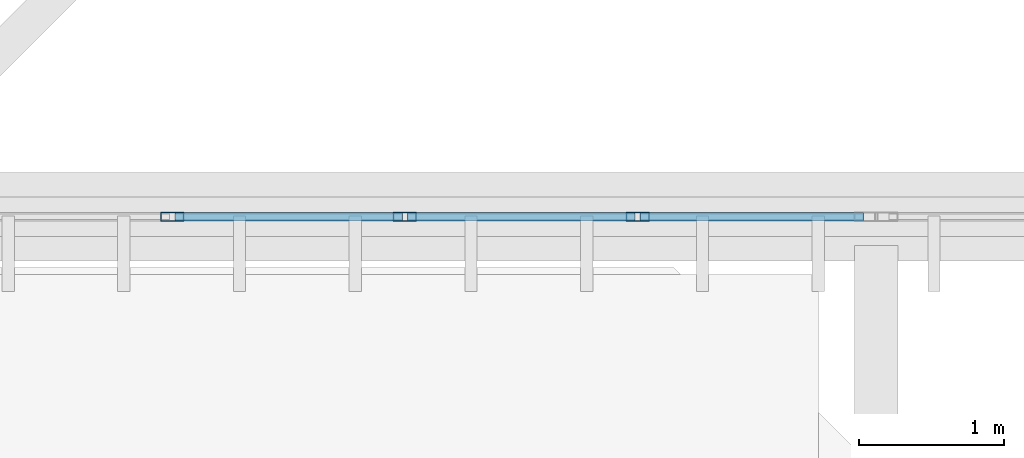
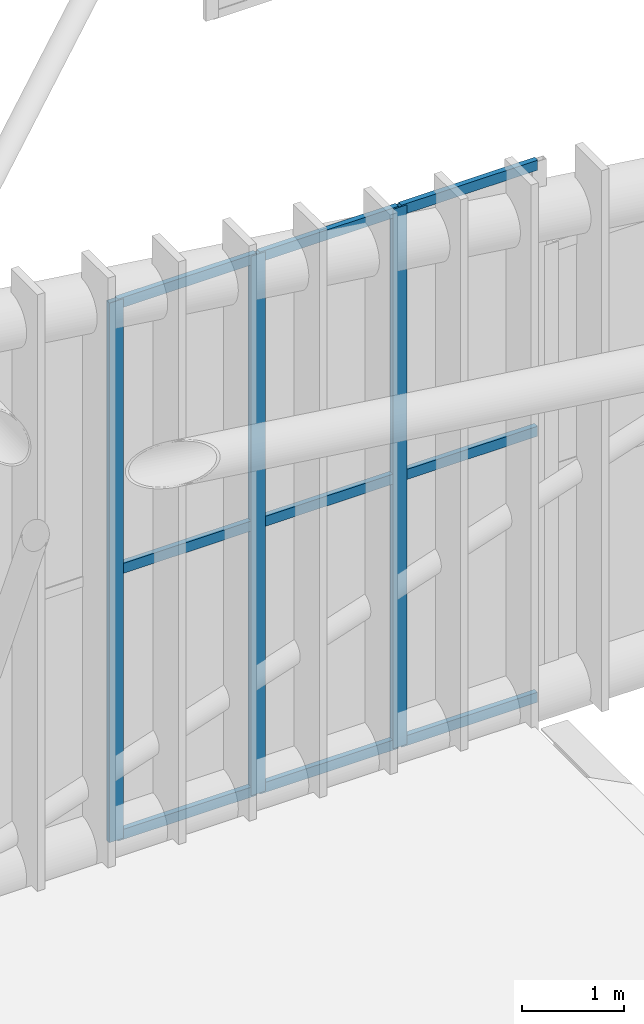
# One storey, part 85 of 397: 12 members, 1 element without a shape of its own.
"""IFC4 building model written with IfcOpenShell, lengths in metres."""

from ifc_helpers import new_model, si_unit, direction, frame, origin, origin_2d, place, context, subcontext, project, spatial, hollow_rectangle, extrude, material, material_profile, profile_set, type_object, element, aggregate, save


model = new_model("IFC4")

# Units and contexts
model_context = context("Model", 3, precision=1e-05, world=origin(), true_north=direction((0.0, 1.0)))
body_context = subcontext(model_context, "Body", "Model", "MODEL_VIEW")
ifc_project = project(units=[si_unit("LENGTHUNIT", "METRE"), si_unit("AREAUNIT", "SQUARE_METRE"), si_unit("VOLUMEUNIT", "CUBIC_METRE"), si_unit("PLANEANGLEUNIT", "RADIAN"), si_unit("MASSUNIT", "GRAM", prefix="KILO")], contexts=[model_context])

# Site, building, storey
site_placement = place(None, origin())
site = spatial("IfcSite", under=ifc_project, at=site_placement, CompositionType="ELEMENT")
building_placement = place(site_placement, origin())
building = spatial("IfcBuilding", under=site, at=building_placement, Name="Qandorah Velis Arena", CompositionType="ELEMENT")
storey_placement = place(building_placement, frame((0.0, 0.0, 27.5)))
storey = spatial("IfcBuildingStorey", under=building, at=storey_placement, Name="RF", CompositionType="ELEMENT", Elevation=27.5)

# Curtain wall, members
ifc_material_1 = material(Name="Solar-control low-E double glazing", Category="glass")
curtain_wall_type = type_object("IfcCurtainWallType", Name="ARC-CW-SYS22", PredefinedType="USERDEFINED", material=ifc_material_1)
curtain_wall_placement = place(storey_placement, origin())
curtain_wall = element("IfcCurtainWall", 1, at=curtain_wall_placement, inside=storey, type_object=curtain_wall_type, Name="Unitised curtain wall CROWN-3-06S1", ObjectType="UNITISED CURTAIN WALL", PredefinedType="USERDEFINED")
ifc_material_2 = material(Name="Champagne-bronze anodized aluminium 6063-T6", Category="aluminium")
ifc_material_profile_1 = material_profile(ifc_material_2, hollow_rectangle(XDim=0.06005859375, YDim=0.159912109375, WallThickness=0.00341796875, at=origin_2d()), Name="ALU MULLION 60x160")
ifc_profile_set_1 = profile_set([ifc_material_profile_1], Name="Champagne-bronze anodized aluminium 6063-T6")
member_type_1 = type_object("IfcMemberType", Name="ARC-CWM-160", PredefinedType="MULLION", material=ifc_profile_set_1)
member_1_placement = place(storey_placement, frame((88.733642578125, 14.39990234375, -0.014892578125), z_axis=(0.0, 0.0, 1.0), x_axis=(0.0, 1.0, 0.0)))
member_1 = element("IfcMember", 2, at=member_1_placement, type_object=member_type_1, Name="CW22 mullion 2", PredefinedType="MULLION", context=body_context, shape_type="SweptSolid", body=[
    extrude(hollow_rectangle(XDim=0.06005859375, YDim=0.159912109375, WallThickness=0.00341796875, at=origin_2d()), origin(), (0.0, 0.0, 1.0), 6.469482421875),
])
member_2_placement = place(storey_placement, frame((90.342529296875, 14.39990234375, -0.014892578125), z_axis=(0.0, 0.0, 1.0), x_axis=(0.0, 1.0, 0.0)))
member_2 = element("IfcMember", 3, at=member_2_placement, type_object=member_type_1, Name="CW22 mullion 3", PredefinedType="MULLION", context=body_context, shape_type="SweptSolid", body=[
    extrude(hollow_rectangle(XDim=0.06005859375, YDim=0.159912109375, WallThickness=0.00341796875, at=origin_2d()), origin(), (0.0, 0.0, 1.0), 6.469482421875),
])
member_3_placement = place(storey_placement, frame((91.951171875, 14.39990234375, -0.014892578125), z_axis=(0.0, 0.0, 1.0), x_axis=(0.0, 1.0, 0.0)))
member_3 = element("IfcMember", 4, at=member_3_placement, type_object=member_type_1, Name="CW22 mullion 4", PredefinedType="MULLION", context=body_context, shape_type="SweptSolid", body=[
    extrude(hollow_rectangle(XDim=0.06005859375, YDim=0.159912109375, WallThickness=0.00341796875, at=origin_2d()), origin(), (0.0, 0.0, 1.0), 6.469482421875),
])
ifc_material_profile_2 = material_profile(ifc_material_2, hollow_rectangle(XDim=0.06005859375, YDim=0.1201171875, WallThickness=0.0029296875, at=origin_2d()), Name="ALU TRANSOM 60x120")
ifc_profile_set_2 = profile_set([ifc_material_profile_2], Name="Champagne-bronze anodized aluminium 6063-T6")
member_type_2 = type_object("IfcMemberType", Name="ARC-CWT-120", PredefinedType="USERDEFINED", material=ifc_profile_set_2)
member_4_placement = place(storey_placement, frame((88.751708984375, 14.39990234375, 0.030029296875), z_axis=(1.0, 0.0, 0.0), x_axis=(0.0, 1.0, 0.0)))
member_4 = element("IfcMember", 5, at=member_4_placement, type_object=member_type_2, Name="CW22 transom 2.1", ObjectType="TRANSOM", PredefinedType="USERDEFINED", context=body_context, shape_type="SweptSolid", body=[
    extrude(hollow_rectangle(XDim=0.06005859375, YDim=0.1201171875, WallThickness=0.0029296875, at=origin_2d()), origin(), (0.0, 0.0, 1.0), 1.57275390625),
])
member_5_placement = place(storey_placement, frame((88.751708984375, 14.39990234375, 3.219970703125), z_axis=(1.0, 0.0, 0.0), x_axis=(0.0, 1.0, 0.0)))
member_5 = element("IfcMember", 6, at=member_5_placement, type_object=member_type_2, Name="CW22 transom 2.2", ObjectType="TRANSOM", PredefinedType="USERDEFINED", context=body_context, shape_type="SweptSolid", body=[
    extrude(hollow_rectangle(XDim=0.06005859375, YDim=0.1201171875, WallThickness=0.0029296875, at=origin_2d()), origin(), (0.0, 0.0, 1.0), 1.57275390625),
])
member_6_placement = place(storey_placement, frame((88.751708984375, 14.39990234375, 6.40966796875), z_axis=(1.0, 0.0, 0.0), x_axis=(0.0, 1.0, 0.0)))
member_6 = element("IfcMember", 7, at=member_6_placement, type_object=member_type_2, Name="CW22 transom 2.3", ObjectType="TRANSOM", PredefinedType="USERDEFINED", context=body_context, shape_type="SweptSolid", body=[
    extrude(hollow_rectangle(XDim=0.06005859375, YDim=0.1201171875, WallThickness=0.0029296875, at=origin_2d()), origin(), (0.0, 0.0, 1.0), 1.57275390625),
])
member_7_placement = place(storey_placement, frame((90.360595703125, 14.39990234375, 0.030029296875), z_axis=(1.0, 0.0, 0.0), x_axis=(0.0, 1.0, 0.0)))
member_7 = element("IfcMember", 8, at=member_7_placement, type_object=member_type_2, Name="CW22 transom 3.1", ObjectType="TRANSOM", PredefinedType="USERDEFINED", context=body_context, shape_type="SweptSolid", body=[
    extrude(hollow_rectangle(XDim=0.06005859375, YDim=0.1201171875, WallThickness=0.0029296875, at=origin_2d()), origin(), (0.0, 0.0, 1.0), 1.57275390625),
])
member_8_placement = place(storey_placement, frame((90.360595703125, 14.39990234375, 3.219970703125), z_axis=(1.0, 0.0, 0.0), x_axis=(0.0, 1.0, 0.0)))
member_8 = element("IfcMember", 9, at=member_8_placement, type_object=member_type_2, Name="CW22 transom 3.2", ObjectType="TRANSOM", PredefinedType="USERDEFINED", context=body_context, shape_type="SweptSolid", body=[
    extrude(hollow_rectangle(XDim=0.06005859375, YDim=0.1201171875, WallThickness=0.0029296875, at=origin_2d()), origin(), (0.0, 0.0, 1.0), 1.57275390625),
])
member_9_placement = place(storey_placement, frame((90.360595703125, 14.39990234375, 6.40966796875), z_axis=(1.0, 0.0, 0.0), x_axis=(0.0, 1.0, 0.0)))
member_9 = element("IfcMember", 10, at=member_9_placement, type_object=member_type_2, Name="CW22 transom 3.3", ObjectType="TRANSOM", PredefinedType="USERDEFINED", context=body_context, shape_type="SweptSolid", body=[
    extrude(hollow_rectangle(XDim=0.06005859375, YDim=0.1201171875, WallThickness=0.0029296875, at=origin_2d()), origin(), (0.0, 0.0, 1.0), 1.57275390625),
])
member_10_placement = place(storey_placement, frame((91.96923828125, 14.39990234375, 0.030029296875), z_axis=(1.0, 0.0, 0.0), x_axis=(0.0, 1.0, 0.0)))
member_10 = element("IfcMember", 11, at=member_10_placement, type_object=member_type_2, Name="CW22 transom 4.1", ObjectType="TRANSOM", PredefinedType="USERDEFINED", context=body_context, shape_type="SweptSolid", body=[
    extrude(hollow_rectangle(XDim=0.06005859375, YDim=0.1201171875, WallThickness=0.0029296875, at=origin_2d()), origin(), (0.0, 0.0, 1.0), 1.542724609375),
])
member_11_placement = place(storey_placement, frame((91.96923828125, 14.39990234375, 3.219970703125), z_axis=(1.0, 0.0, 0.0), x_axis=(0.0, 1.0, 0.0)))
member_11 = element("IfcMember", 12, at=member_11_placement, type_object=member_type_2, Name="CW22 transom 4.2", ObjectType="TRANSOM", PredefinedType="USERDEFINED", context=body_context, shape_type="SweptSolid", body=[
    extrude(hollow_rectangle(XDim=0.06005859375, YDim=0.1201171875, WallThickness=0.0029296875, at=origin_2d()), origin(), (0.0, 0.0, 1.0), 1.542724609375),
])
member_12_placement = place(storey_placement, frame((91.96923828125, 14.39990234375, 6.40966796875), z_axis=(1.0, 0.0, 0.0), x_axis=(0.0, 1.0, 0.0)))
member_12 = element("IfcMember", 13, at=member_12_placement, type_object=member_type_2, Name="CW22 transom 4.3", ObjectType="TRANSOM", PredefinedType="USERDEFINED", context=body_context, shape_type="SweptSolid", body=[
    extrude(hollow_rectangle(XDim=0.06005859375, YDim=0.1201171875, WallThickness=0.0029296875, at=origin_2d()), origin(), (0.0, 0.0, 1.0), 1.542724609375),
])
aggregate(curtain_wall, [member_1, member_2, member_3, member_4, member_5, member_6, member_7, member_8, member_9, member_10, member_11, member_12])

save(model, "model.ifc")
